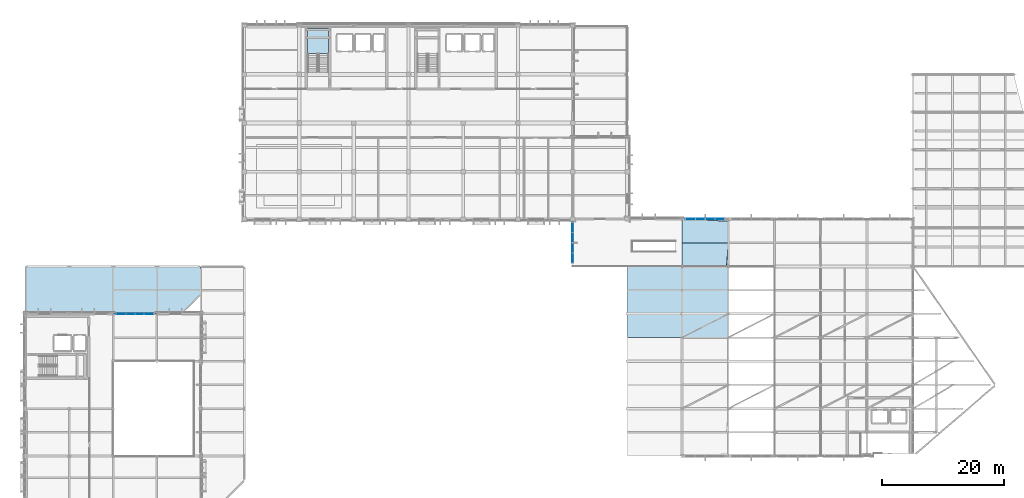
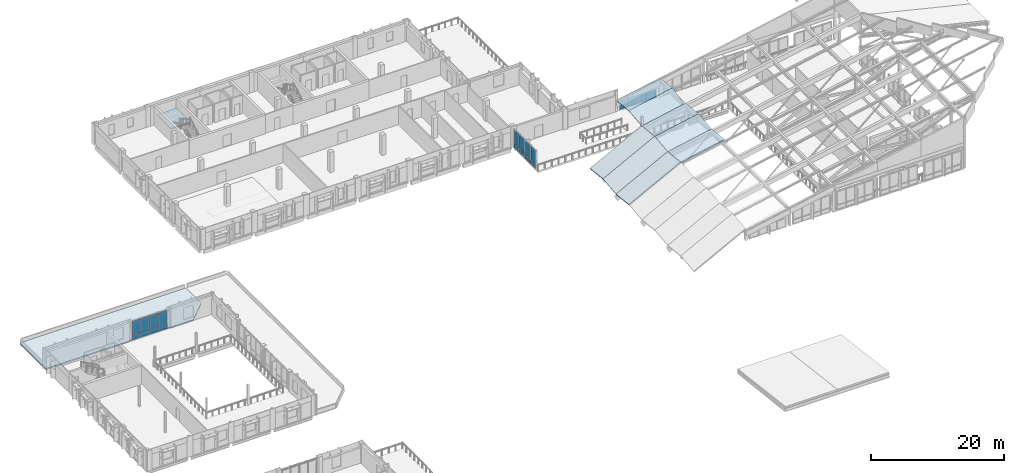
# One storey, part 39 of 73: 20 plates, 10 slabs, 6 elements without a shape of their own.
"""IFC4 building model written with IfcOpenShell, lengths in metres."""

from ifc_helpers import new_model, si_unit, direction, frame, origin, origin_2d, place, context, subcontext, project, spatial, polyline, rectangle, outline, extrude, material, layer, layer_set, type_object, element, aggregate, save


model = new_model("IFC4")

# Units and contexts
model_context = context("Model", 3, precision=1e-05, world=origin(), true_north=direction((0.0, 1.0)))
body_context = subcontext(model_context, "Body", "Model", "MODEL_VIEW")
ifc_project = project(units=[si_unit("LENGTHUNIT", "METRE"), si_unit("AREAUNIT", "SQUARE_METRE"), si_unit("VOLUMEUNIT", "CUBIC_METRE"), si_unit("PLANEANGLEUNIT", "RADIAN"), si_unit("MASSUNIT", "GRAM", prefix="KILO")], contexts=[model_context])

# Site, building, storey
site_placement = place(None, origin())
site = spatial("IfcSite", under=ifc_project, at=site_placement, CompositionType="ELEMENT")
building_placement = place(site_placement, origin())
building = spatial("IfcBuilding", under=site, at=building_placement, Name="Vervanel Yard Central Library", CompositionType="ELEMENT")
storey_placement = place(building_placement, frame((0.0, 0.0, 12.780029296875)))
storey = spatial("IfcBuildingStorey", under=building, at=storey_placement, Name="L03", CompositionType="ELEMENT", Elevation=12.780029296875)

# Stair, slab
ifc_material_1 = material(Name="Concrete C40/50", Category="concrete")
stair_type = type_object("IfcStairType", Name="Protected Core Dog-Leg Stair ST-01", PredefinedType="HALF_TURN_STAIR", material=ifc_material_1)
stair_placement = place(storey_placement, origin())
stair = element("IfcStair", 1, at=stair_placement, inside=storey, type_object=stair_type, Name="L03 CORE-A Protected Exit Stair", PredefinedType="HALF_TURN_STAIR")
ifc_layer_1 = layer(ifc_material_1, 0.199951171875, Category="concrete")
ifc_layer_set_1 = layer_set([ifc_layer_1], Name="Concrete C40/50")
slab_type_1 = type_object("IfcSlabType", Name="Core Stair Concrete Landing Slab 200", PredefinedType="LANDING", material=ifc_layer_set_1)
slab_1_placement = place(storey_placement, frame((0.0, 0.0, 1.669921875)))
slab_1 = element("IfcSlab", 2, at=slab_1_placement, type_object=slab_type_1, Name="ST-01 landing 1", PredefinedType="LANDING", context=body_context, shape_type="SweptSolid", body=[
    extrude(outline(polyline([(49.85009765625, 109.39990234375), (49.85009765625, 113.60009765625), (46.389892578125, 113.60009765625), (46.389892578125, 109.39990234375), (49.85009765625, 109.39990234375)])), origin(), (0.0, 0.0, 1.0), 0.199951171875),
])
aggregate(stair, [slab_1])

# Curtain wall, plates
ifc_material_2 = material(Name="Thermally broken anodized aluminium 6063-T6", Category="aluminium")
curtain_wall_type_1 = type_object("IfcCurtainWallType", Name="Reading Hall Full-Height Curtain Wall", PredefinedType="NOTDEFINED", material=ifc_material_2)
curtain_wall_1_placement = place(storey_placement, origin())
curtain_wall_1 = element("IfcCurtainWall", 3, at=curtain_wall_1_placement, inside=storey, type_object=curtain_wall_type_1, Name="L03 Reading Hall Full-Height Curtain Wall CWR-L03-054", PredefinedType="NOTDEFINED")
ifc_material_3 = material(Name="Double low-E laminated solar-control glass", Category="glass")
ifc_layer_2 = layer(ifc_material_3, 0.030029296875, Category="glass")
ifc_layer_set_2 = layer_set([ifc_layer_2], Name="Double low-E laminated solar-control glass")
plate_type_1 = type_object("IfcPlateType", Name="Courtyard Clear Low-E Panel 30", PredefinedType="CURTAIN_PANEL", material=ifc_layer_set_2)
plate_1_placement = place(storey_placement, frame((90.0, 75.8125, 0.884765625), z_axis=(0.0, 0.0, 1.0), x_axis=(0.0, 1.0, 0.0)))
plate_1 = element("IfcPlate", 4, at=plate_1_placement, type_object=plate_type_1, Name="CWR-L03-054 Panel B1-2", PredefinedType="CURTAIN_PANEL", context=body_context, shape_type="SweptSolid", body=[
    extrude(rectangle(XDim=1.56494140625, YDim=0.030029296875, at=origin_2d()), origin(), (0.0, 0.0, 1.0), 2.445068359375),
])
plate_2_placement = place(storey_placement, frame((90.0, 77.447509765625, 0.884765625), z_axis=(0.0, 0.0, 1.0), x_axis=(0.0, 1.0, 0.0)))
plate_2 = element("IfcPlate", 5, at=plate_2_placement, type_object=plate_type_1, Name="CWR-L03-054 Panel B2-2", PredefinedType="CURTAIN_PANEL", context=body_context, shape_type="SweptSolid", body=[
    extrude(rectangle(XDim=1.56494140625, YDim=0.030029296875, at=origin_2d()), origin(), (0.0, 0.0, 1.0), 2.445068359375),
])

curtain_wall_2_placement = place(storey_placement, origin())
curtain_wall_2 = element("IfcCurtainWall", 6, at=curtain_wall_2_placement, inside=storey, type_object=curtain_wall_type_1, Name="L03 Reading Hall Full-Height Curtain Wall CWR-L03-055", PredefinedType="NOTDEFINED")
plate_3_placement = place(storey_placement, frame((90.0, 79.152587890625, 0.884765625), z_axis=(0.0, 0.0, 1.0), x_axis=(0.0, 1.0, 0.0)))
plate_3 = element("IfcPlate", 7, at=plate_3_placement, type_object=plate_type_1, Name="CWR-L03-055 Panel B1-2", PredefinedType="CURTAIN_PANEL", context=body_context, shape_type="SweptSolid", body=[
    extrude(rectangle(XDim=1.56494140625, YDim=0.030029296875, at=origin_2d()), origin(), (0.0, 0.0, 1.0), 2.445068359375),
])
plate_4_placement = place(storey_placement, frame((90.0, 80.78759765625, 0.884765625), z_axis=(0.0, 0.0, 1.0), x_axis=(0.0, 1.0, 0.0)))
plate_4 = element("IfcPlate", 8, at=plate_4_placement, type_object=plate_type_1, Name="CWR-L03-055 Panel B2-2", PredefinedType="CURTAIN_PANEL", context=body_context, shape_type="SweptSolid", body=[
    extrude(rectangle(XDim=1.56494140625, YDim=0.030029296875, at=origin_2d()), origin(), (0.0, 0.0, 1.0), 2.445068359375),
])

# Slabs
ifc_layer_3 = layer(ifc_material_1, 0.25, Category="concrete")
ifc_layer_set_3 = layer_set([ifc_layer_3], Name="Concrete C40/50")
slab_type_2 = type_object("IfcSlabType", Name="Flat Concrete Roof Slab 250", PredefinedType="ROOF", material=ifc_layer_set_3)
slab_2_placement = place(storey_placement, frame((0.0, 0.0, -0.25)))
element("IfcSlab", 9, at=slab_2_placement, inside=storey, type_object=slab_type_2, Name="L03 V2 Flat Concrete Roof Slab 250", PredefinedType="ROOF", context=body_context, shape_type="SweptSolid", body=[
    extrude(outline(polyline([(0.0, 66.60009765625), (25.60009765625, 66.60009765625), (28.800048828125, 69.800048828125), (28.800048828125, 74.39990234375), (0.0, 74.39990234375), (0.0, 66.60009765625)])), origin(), (0.0, 0.0, 1.0), 0.25),
])
ifc_material_4 = material(Name="Concrete C45/55", Category="concrete")
ifc_layer_4 = layer(ifc_material_4, 0.219970703125, Category="concrete")
ifc_layer_set_4 = layer_set([ifc_layer_4], Name="Concrete C45/55")
slab_type_3 = type_object("IfcSlabType", Name="Folded Shell Roof Typical Plate 220", PredefinedType="ROOF", material=ifc_layer_set_4)
slab_3_placement = place(storey_placement, frame((99.0, 62.699951171875, -2.217529296875), z_axis=(-0.458701274363, 0.099056605972, 0.883052053795), x_axis=(0.887416545796, 0.0, 0.460968409165)))
element("IfcSlab", 10, at=slab_3_placement, inside=storey, type_object=slab_type_3, Name="L03 V3 Folded Shell Roof Typical Plate 220 V3-FLK-B2-S06", PredefinedType="ROOF", context=body_context, shape_type="SweptSolid", body=[
    extrude(outline(polyline([(0.0, 0.0), (10.14179873323036, 5.551115123125783e-17), (9.940125054220838, 3.919422990285361), (-0.2016736790095231, 3.919422990285361), (0.0, 0.0)])), origin(), (0.0, 0.0, -1.0), 0.219970703125),
])
slab_4_placement = place(storey_placement, frame((99.0, 66.60009765625, -2.655029296875), z_axis=(-0.458700992592, -0.099062746234, 0.883051511354), x_axis=(0.887416545796, 0.0, 0.460968409165)))
element("IfcSlab", 11, at=slab_4_placement, inside=storey, type_object=slab_type_3, Name="L03 V3 Folded Shell Roof Typical Plate 220 V3-FLK-B2-S07", PredefinedType="ROOF", context=body_context, shape_type="SweptSolid", body=[
    extrude(outline(polyline([(0.0, 0.0), (10.14179873323036, 0.0), (10.343472412239883, 3.9191800504673817), (0.2016736790095231, 3.9191800504673817), (0.0, 0.0)])), origin(), (0.0, 0.0, -1.0), 0.219970703125),
])
slab_5_placement = place(storey_placement, frame((99.0, 70.5, -2.217529296875), z_axis=(-0.458700992592, 0.099062746234, 0.883051511354), x_axis=(0.887416545796, 0.0, 0.460968409165)))
element("IfcSlab", 12, at=slab_5_placement, inside=storey, type_object=slab_type_3, Name="L03 V3 Folded Shell Roof Typical Plate 220 V3-FLK-B2-S08", PredefinedType="ROOF", context=body_context, shape_type="SweptSolid", body=[
    extrude(outline(polyline([(0.0, 0.0), (10.14179873323036, 0.0), (9.940125054220838, 3.919180050467382), (-0.2016736790095231, 3.9191800504673817), (0.0, 0.0)])), origin(), (0.0, 0.0, -1.0), 0.219970703125),
])
slab_6_placement = place(storey_placement, frame((108.0, 62.699951171875, 2.45751953125), z_axis=(-0.194564453709, 0.109315630166, 0.974779342392), x_axis=(0.980656364609, 1.678408e-06, 0.195737310058)))
element("IfcSlab", 13, at=slab_6_placement, inside=storey, type_object=slab_type_3, Name="L03 V3 Folded Shell Roof Typical Plate 220 V3-FS-B1-S06", PredefinedType="ROOF", context=body_context, shape_type="SweptSolid", body=[
    extrude(outline(polyline([(0.0, 0.0), (7.749987435955397, 0.0), (7.664406696272762, 3.923647691750218), (-0.08562852711184862, 3.9236738639658015), (0.0, 0.0)])), origin(), (0.0, 0.0, -1.0), 0.219970703125),
])
slab_7_placement = place(storey_placement, frame((108.0, 66.60009765625, 2.02001953125), z_axis=(-0.194564308154, -0.109322391728, 0.974778613153), x_axis=(0.980656292345, 1.678501e-06, 0.195737672103)))
element("IfcSlab", 14, at=slab_7_placement, inside=storey, type_object=slab_type_3, Name="L03 V3 Folded Shell Roof Typical Plate 220 V3-FS-B1-S07", PredefinedType="ROOF", context=body_context, shape_type="SweptSolid", body=[
    extrude(outline(polyline([(0.0, 0.0), (7.750035223428805, 2.7755575615628914e-17), (7.8356292134446965, 3.923404724478306), (0.08564177753349511, 3.9234308981513446), (0.0, 0.0)])), origin(), (0.0, 0.0, -1.0), 0.219970703125),
])
slab_8_placement = place(storey_placement, frame((108.0, 70.5, 2.45751953125), z_axis=(-0.194564308154, 0.109322391728, 0.974778613153), x_axis=(0.980656364614, 1.678511e-06, 0.195737310036)))
element("IfcSlab", 15, at=slab_8_placement, inside=storey, type_object=slab_type_3, Name="L03 V3 Folded Shell Roof Typical Plate 220 V3-FS-B1-S08", PredefinedType="ROOF", context=body_context, shape_type="SweptSolid", body=[
    extrude(outline(polyline([(0.0, 0.0), (7.749987435955398, 2.7755575615628914e-17), (7.664406696272761, 3.9234050135285425), (-0.08562852711184588, 3.9234311873629717), (0.0, 0.0)])), origin(), (0.0, 0.0, -1.0), 0.219970703125),
])
slab_9_placement = place(storey_placement, frame((108.0, 74.39990234375, 2.02001953125), z_axis=(-0.194563484144, -0.109317510818, 0.97477932501), x_axis=(0.980656479842, 1.635106e-06, 0.195736732732)))
element("IfcSlab", 16, at=slab_9_placement, inside=storey, type_object=slab_type_3, Name="L03 V3 Folded Shell Roof Typical Plate 220 V3-FS-B1-S09", PredefinedType="ROOF", context=body_context, shape_type="SweptSolid", body=[
    extrude(outline(polyline([(0.0, 0.0), (7.464479389773746, 0.0), (7.835628633745772, 3.923648560391964), (0.08564119772152942, 3.923673587643339), (0.0, 0.0)])), origin(), (0.0, 0.0, -1.0), 0.219970703125),
])
slab_10_placement = place(storey_placement, frame((108.0, 78.300048828125, 2.45751953125), z_axis=(-0.194559192201, 0.109332315602, 0.974778521253), x_axis=(0.980657337234, 1.132109e-06, 0.195732437084)))
element("IfcSlab", 17, at=slab_10_placement, inside=storey, type_object=slab_type_3, Name="L03 V3 Folded Shell Roof Typical Plate 220 V3-FS-B1-S10", PredefinedType="ROOF", context=body_context, shape_type="SweptSolid", body=[
    extrude(outline(polyline([(0.0, 0.0), (7.749987436453402, 0.0), (7.6722910186993944, 3.561379945198816), (-0.08562852611033513, 3.923431188368541), (0.0, 0.0)])), origin(), (0.0, 0.0, -1.0), 0.219970703125),
])

# Curtain wall, plates
curtain_wall_type_2 = type_object("IfcCurtainWallType", Name="Atrium Courtyard Curtain Wall", PredefinedType="NOTDEFINED", material=ifc_material_2)
curtain_wall_3_placement = place(storey_placement, origin())
curtain_wall_3 = element("IfcCurtainWall", 18, at=curtain_wall_3_placement, inside=storey, type_object=curtain_wall_type_2, Name="L03 Atrium Courtyard Curtain Wall CWR-L03-042", PredefinedType="NOTDEFINED")
ifc_material_5 = material(Name="Insulated bronze aluminium spandrel panel", Category="aluminium")
ifc_layer_5 = layer(ifc_material_5, 0.080078125, Category="aluminium")
ifc_layer_set_5 = layer_set([ifc_layer_5], Name="Insulated bronze aluminium spandrel panel")
plate_type_2 = type_object("IfcPlateType", Name="Insulated Bronze Spandrel Panel 80", PredefinedType="CURTAIN_PANEL", material=ifc_layer_set_5)
plate_5_placement = place(storey_placement, frame((15.744384765625, 66.60009765625, 0.06494140625), z_axis=(0.0, 0.0, 1.0), x_axis=(1.0, 0.0, 0.0)))
plate_5 = element("IfcPlate", 19, at=plate_5_placement, type_object=plate_type_2, Name="CWR-L03-042 Panel B1-1", PredefinedType="CURTAIN_PANEL", context=body_context, shape_type="SweptSolid", body=[
    extrude(rectangle(XDim=1.438720703125, YDim=0.080078125, at=origin_2d()), origin(), (0.0, 0.0, 1.0), 0.75244140625),
])
plate_6_placement = place(storey_placement, frame((17.248046875, 66.60009765625, 0.06494140625), z_axis=(0.0, 0.0, 1.0), x_axis=(1.0, 0.0, 0.0)))
plate_6 = element("IfcPlate", 20, at=plate_6_placement, type_object=plate_type_2, Name="CWR-L03-042 Panel B2-1", PredefinedType="CURTAIN_PANEL", context=body_context, shape_type="SweptSolid", body=[
    extrude(rectangle(XDim=1.438720703125, YDim=0.080078125, at=origin_2d()), origin(), (0.0, 0.0, 1.0), 0.75244140625),
])
plate_7_placement = place(storey_placement, frame((18.751953125, 66.60009765625, 0.06494140625), z_axis=(0.0, 0.0, 1.0), x_axis=(1.0, 0.0, 0.0)))
plate_7 = element("IfcPlate", 21, at=plate_7_placement, type_object=plate_type_2, Name="CWR-L03-042 Panel B3-1", PredefinedType="CURTAIN_PANEL", context=body_context, shape_type="SweptSolid", body=[
    extrude(rectangle(XDim=1.438720703125, YDim=0.080078125, at=origin_2d()), origin(), (0.0, 0.0, 1.0), 0.75244140625),
])
plate_8_placement = place(storey_placement, frame((20.255615234375, 66.60009765625, 0.06494140625), z_axis=(0.0, 0.0, 1.0), x_axis=(1.0, 0.0, 0.0)))
plate_8 = element("IfcPlate", 22, at=plate_8_placement, type_object=plate_type_2, Name="CWR-L03-042 Panel B4-1", PredefinedType="CURTAIN_PANEL", context=body_context, shape_type="SweptSolid", body=[
    extrude(rectangle(XDim=1.438720703125, YDim=0.080078125, at=origin_2d()), origin(), (0.0, 0.0, 1.0), 0.75244140625),
])

curtain_wall_type_3 = type_object("IfcCurtainWallType", Name="Prow Cantilever Glazed Curtain Wall", PredefinedType="NOTDEFINED", material=ifc_material_2)
curtain_wall_4_placement = place(storey_placement, origin())
curtain_wall_4 = element("IfcCurtainWall", 23, at=curtain_wall_4_placement, inside=storey, type_object=curtain_wall_type_3, Name="L03 Prow Cantilever Glazed Curtain Wall CWR-L03-108", PredefinedType="NOTDEFINED")
ifc_layer_6 = layer(ifc_material_3, 0.0380859375, Category="glass")
ifc_layer_set_6 = layer_set([ifc_layer_6], Name="Double low-E laminated solar-control glass")
plate_type_3 = type_object("IfcPlateType", Name="Reading Hall Acoustic Vision Panel 38", PredefinedType="CURTAIN_PANEL", material=ifc_layer_set_6)
plate_9_placement = place(storey_placement, frame((109.387451171875, 82.199951171875, 0.070068359375), z_axis=(0.0, 0.0, 1.0), x_axis=(1.0, 0.0, 0.0)))
plate_9 = element("IfcPlate", 24, at=plate_9_placement, type_object=plate_type_3, Name="CWR-L03-108 Panel B1-1", PredefinedType="CURTAIN_PANEL", context=body_context, shape_type="SweptSolid", body=[
    extrude(rectangle(XDim=1.514892578125, YDim=0.0380859375, at=origin_2d()), origin(), (0.0, 0.0, 1.0), 1.5400390625),
])
plate_10_placement = place(storey_placement, frame((110.972412109375, 82.199951171875, 0.070068359375), z_axis=(0.0, 0.0, 1.0), x_axis=(1.0, 0.0, 0.0)))
plate_10 = element("IfcPlate", 25, at=plate_10_placement, type_object=plate_type_3, Name="CWR-L03-108 Panel B2-1", PredefinedType="CURTAIN_PANEL", context=body_context, shape_type="SweptSolid", body=[
    extrude(rectangle(XDim=1.514892578125, YDim=0.0380859375, at=origin_2d()), origin(), (0.0, 0.0, 1.0), 1.5400390625),
])
aggregate(curtain_wall_4, [plate_9, plate_10])

curtain_wall_5_placement = place(storey_placement, origin())
curtain_wall_5 = element("IfcCurtainWall", 26, at=curtain_wall_5_placement, inside=storey, type_object=curtain_wall_type_3, Name="L03 Prow Cantilever Glazed Curtain Wall CWR-L03-109", PredefinedType="NOTDEFINED")
plate_11_placement = place(storey_placement, frame((112.62744140625, 82.199951171875, 0.070068359375), z_axis=(0.0, 0.0, 1.0), x_axis=(1.0, 0.0, 0.0)))
plate_11 = element("IfcPlate", 27, at=plate_11_placement, type_object=plate_type_3, Name="CWR-L03-109 Panel B1-1", PredefinedType="CURTAIN_PANEL", context=body_context, shape_type="SweptSolid", body=[
    extrude(rectangle(XDim=1.514892578125, YDim=0.0380859375, at=origin_2d()), origin(), (0.0, 0.0, 1.0), 1.5400390625),
])
plate_12_placement = place(storey_placement, frame((114.21240234375, 82.199951171875, 0.070068359375), z_axis=(0.0, 0.0, 1.0), x_axis=(1.0, 0.0, 0.0)))
plate_12 = element("IfcPlate", 28, at=plate_12_placement, type_object=plate_type_3, Name="CWR-L03-109 Panel B2-1", PredefinedType="CURTAIN_PANEL", context=body_context, shape_type="SweptSolid", body=[
    extrude(rectangle(XDim=1.514892578125, YDim=0.0380859375, at=origin_2d()), origin(), (0.0, 0.0, 1.0), 1.5400390625),
])
aggregate(curtain_wall_5, [plate_11, plate_12])

# Plate
ifc_layer_7 = layer(ifc_material_5, 0.094970703125, Category="aluminium")
ifc_layer_set_7 = layer_set([ifc_layer_7], Name="Insulated bronze aluminium spandrel panel")
plate_type_4 = type_object("IfcPlateType", Name="Reading Hall Shadow-Box Spandrel 95", PredefinedType="CURTAIN_PANEL", material=ifc_layer_set_7)
plate_13_placement = place(storey_placement, frame((90.0, 75.8125, 0.06982421875), z_axis=(0.0, 0.0, 1.0), x_axis=(0.0, 1.0, 0.0)))
plate_13 = element("IfcPlate", 29, at=plate_13_placement, type_object=plate_type_4, Name="CWR-L03-054 Panel B1-1", PredefinedType="CURTAIN_PANEL", context=body_context, shape_type="SweptSolid", body=[
    extrude(rectangle(XDim=1.56494140625, YDim=0.094970703125, at=origin_2d()), origin(), (0.0, 0.0, 1.0), 0.7451171875),
])

plate_14_placement = place(storey_placement, frame((90.0, 77.447509765625, 0.06982421875), z_axis=(0.0, 0.0, 1.0), x_axis=(0.0, 1.0, 0.0)))
plate_14 = element("IfcPlate", 30, at=plate_14_placement, type_object=plate_type_4, Name="CWR-L03-054 Panel B2-1", PredefinedType="CURTAIN_PANEL", context=body_context, shape_type="SweptSolid", body=[
    extrude(rectangle(XDim=1.56494140625, YDim=0.094970703125, at=origin_2d()), origin(), (0.0, 0.0, 1.0), 0.7451171875),
])

aggregate(curtain_wall_1, [plate_13, plate_1, plate_14, plate_2])

plate_15_placement = place(storey_placement, frame((90.0, 79.152587890625, 0.06982421875), z_axis=(0.0, 0.0, 1.0), x_axis=(0.0, 1.0, 0.0)))
plate_15 = element("IfcPlate", 31, at=plate_15_placement, type_object=plate_type_4, Name="CWR-L03-055 Panel B1-1", PredefinedType="CURTAIN_PANEL", context=body_context, shape_type="SweptSolid", body=[
    extrude(rectangle(XDim=1.56494140625, YDim=0.094970703125, at=origin_2d()), origin(), (0.0, 0.0, 1.0), 0.7451171875),
])

plate_16_placement = place(storey_placement, frame((90.0, 80.78759765625, 0.06982421875), z_axis=(0.0, 0.0, 1.0), x_axis=(0.0, 1.0, 0.0)))
plate_16 = element("IfcPlate", 32, at=plate_16_placement, type_object=plate_type_4, Name="CWR-L03-055 Panel B2-1", PredefinedType="CURTAIN_PANEL", context=body_context, shape_type="SweptSolid", body=[
    extrude(rectangle(XDim=1.56494140625, YDim=0.094970703125, at=origin_2d()), origin(), (0.0, 0.0, 1.0), 0.7451171875),
])

aggregate(curtain_wall_2, [plate_15, plate_3, plate_16, plate_4])

ifc_layer_8 = layer(ifc_material_3, 0.031982421875, Category="glass")
ifc_layer_set_8 = layer_set([ifc_layer_8], Name="Double low-E laminated solar-control glass")
plate_type_5 = type_object("IfcPlateType", Name="Vision Low-E Glazed Panel 32", PredefinedType="CURTAIN_PANEL", material=ifc_layer_set_8)
plate_17_placement = place(storey_placement, frame((15.744384765625, 66.60009765625, 0.88232421875), z_axis=(0.0, 0.0, 1.0), x_axis=(1.0, 0.0, 0.0)))
plate_17 = element("IfcPlate", 33, at=plate_17_placement, type_object=plate_type_5, Name="CWR-L03-042 Panel B1-2", PredefinedType="CURTAIN_PANEL", context=body_context, shape_type="SweptSolid", body=[
    extrude(rectangle(XDim=1.438720703125, YDim=0.031982421875, at=origin_2d()), origin(), (0.0, 0.0, 1.0), 2.452392578125),
])

plate_18_placement = place(storey_placement, frame((17.248046875, 66.60009765625, 0.88232421875), z_axis=(0.0, 0.0, 1.0), x_axis=(1.0, 0.0, 0.0)))
plate_18 = element("IfcPlate", 34, at=plate_18_placement, type_object=plate_type_5, Name="CWR-L03-042 Panel B2-2", PredefinedType="CURTAIN_PANEL", context=body_context, shape_type="SweptSolid", body=[
    extrude(rectangle(XDim=1.438720703125, YDim=0.031982421875, at=origin_2d()), origin(), (0.0, 0.0, 1.0), 2.452392578125),
])

plate_19_placement = place(storey_placement, frame((18.751953125, 66.60009765625, 0.88232421875), z_axis=(0.0, 0.0, 1.0), x_axis=(1.0, 0.0, 0.0)))
plate_19 = element("IfcPlate", 35, at=plate_19_placement, type_object=plate_type_5, Name="CWR-L03-042 Panel B3-2", PredefinedType="CURTAIN_PANEL", context=body_context, shape_type="SweptSolid", body=[
    extrude(rectangle(XDim=1.438720703125, YDim=0.031982421875, at=origin_2d()), origin(), (0.0, 0.0, 1.0), 2.452392578125),
])

plate_20_placement = place(storey_placement, frame((20.255615234375, 66.60009765625, 0.88232421875), z_axis=(0.0, 0.0, 1.0), x_axis=(1.0, 0.0, 0.0)))
plate_20 = element("IfcPlate", 36, at=plate_20_placement, type_object=plate_type_5, Name="CWR-L03-042 Panel B4-2", PredefinedType="CURTAIN_PANEL", context=body_context, shape_type="SweptSolid", body=[
    extrude(rectangle(XDim=1.438720703125, YDim=0.031982421875, at=origin_2d()), origin(), (0.0, 0.0, 1.0), 2.452392578125),
])

aggregate(curtain_wall_3, [plate_5, plate_17, plate_6, plate_18, plate_7, plate_19, plate_8, plate_20])

save(model, "model.ifc")
